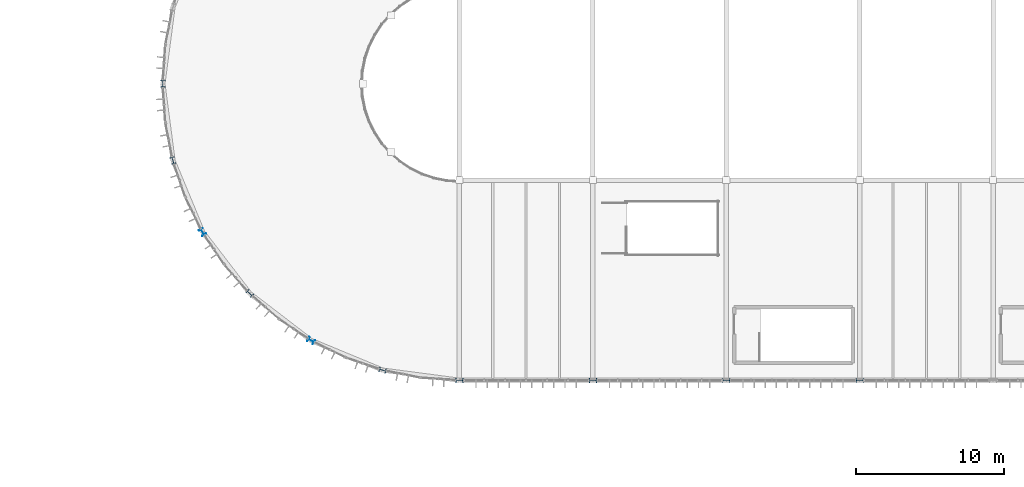
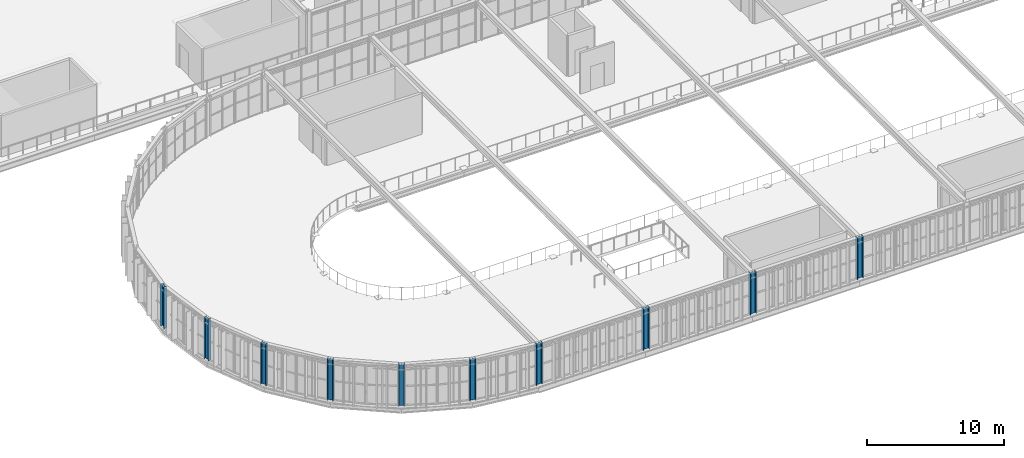
# One storey, part 1 of 152: 10 columns.
"""IFC4 building model written with IfcOpenShell, lengths in metres."""

from ifc_helpers import new_model, si_unit, derived_unit, direction, frame, origin, origin_2d, place, context, subcontext, project, spatial, i_section, extrude, material, material_profile, profile_set, type_object, element, save


model = new_model("IFC4")

# Units and contexts
model_context = context("Model", 3, precision=1e-05, world=origin(), true_north=direction((0.0, 1.0)))
body_context = subcontext(model_context, "Body", "Model", "MODEL_VIEW")
ifc_project = project(units=[si_unit("LENGTHUNIT", "METRE"), si_unit("AREAUNIT", "SQUARE_METRE"), si_unit("VOLUMEUNIT", "CUBIC_METRE"), si_unit("PLANEANGLEUNIT", "RADIAN"), si_unit("MASSUNIT", "GRAM", prefix="KILO"), si_unit("THERMODYNAMICTEMPERATUREUNIT", "KELVIN"), si_unit("TIMEUNIT", "SECOND"), derived_unit("THERMALTRANSMITTANCEUNIT", [(si_unit("MASSUNIT", "GRAM", prefix="KILO"), 1), (si_unit("THERMODYNAMICTEMPERATUREUNIT", "KELVIN"), -1), (si_unit("TIMEUNIT", "SECOND"), -3)])], contexts=[model_context])

# Site, building, storey
site_placement = place(None, origin())
site = spatial("IfcSite", under=ifc_project, at=site_placement, CompositionType="ELEMENT")
building_placement = place(site_placement, origin())
building = spatial("IfcBuilding", under=site, at=building_placement, Name="Cambertide Market Hall", CompositionType="ELEMENT")
storey_placement = place(building_placement, frame((0.0, 0.0, 5.39990234375)))
storey = spatial("IfcBuildingStorey", under=building, at=storey_placement, Name="L02", CompositionType="ELEMENT", Elevation=5.39990234375)

# Columns
ifc_material_1 = material(Name="Steel S355", Category="steel")
ifc_material_profile_1 = material_profile(ifc_material_1, i_section(OverallWidth=0.300048828125, OverallDepth=0.449951171875, WebThickness=0.013916015625, FlangeThickness=0.02587890625, FilletRadius=0.027099609375, at=origin_2d()), Name="HEB 450")
ifc_profile_set_1 = profile_set([ifc_material_profile_1], Name="Steel S355")
column_type_1 = type_object("IfcColumnType", Name="Exterior Steel Column HEB 450", PredefinedType="COLUMN", material=ifc_profile_set_1)
for number, where, z_axis, x_axis, name in (
    (1, (22.0, 72.0, 0.0), (0.0, 0.0, 1.0), (-1.0, 0.0, 0.0), "Level 2 Column COL-V1-AW12-L02"),
    (2, (22.681396484375, 66.82373046875, 0.0), (0.0, 0.0, 1.0), (-0.965925826289, -0.258819045103, 0.0), "Level 2 Column COL-V1-AW14-L02"),
    (3, (24.679443359375, 62.0, 0.0), (0.0, 0.0, 1.0), (-0.866025403784, -0.5, 0.0), "Level 2 Column COL-V1-AW16-L02"),
    (4, (27.85791015625, 57.85791015625, 0.0), (0.0, 0.0, 1.0), (-0.707106781187, -0.707106781187, 0.0), "Level 2 Column COL-V1-AW18-L02"),
    (5, (32.0, 54.679443359375, 0.0), (0.0, 0.0, 1.0), (-0.5, -0.866025403784, 0.0), "Level 2 Column COL-V1-AW20-L02"),
    (6, (36.82373046875, 52.681396484375, 0.0), (0.0, 0.0, 1.0), (-0.258819045103, -0.965925826289, 0.0), "Level 2 Column COL-V1-AW22-L02"),
):
    element("IfcColumn", number, at=place(storey_placement, frame(where, z_axis=z_axis, x_axis=x_axis)), inside=storey, type_object=column_type_1, Name=name, PredefinedType="COLUMN", context=body_context, shape_type="SweptSolid", body=[
        extrude(i_section(OverallWidth=0.300048828125, OverallDepth=0.449951171875, WebThickness=0.013916015625, FlangeThickness=0.02587890625, FilletRadius=0.027099609375, at=origin_2d()), origin(), (0.0, 0.0, 1.0), 3.7001953125),
    ])
ifc_material_2 = material(Name="Steel S355", Category="steel")
ifc_material_profile_2 = material_profile(ifc_material_2, i_section(OverallWidth=0.300048828125, OverallDepth=0.5, WebThickness=0.014404296875, FlangeThickness=0.028076171875, FilletRadius=0.027099609375, at=origin_2d()), Name="HEB 500")
ifc_profile_set_2 = profile_set([ifc_material_profile_2], Name="Steel S355")
column_type_2 = type_object("IfcColumnType", Name="Exterior Steel Column HEB 500", PredefinedType="COLUMN", material=ifc_profile_set_2)
for number, where, z_axis, x_axis, name in (
    (7, (42.0, 52.0, 0.0), (0.0, 0.0, 1.0), (0.0, 1.0, 0.0), "Level 2 Column COL-V1-S1-L02"),
    (8, (51.0, 52.0, 0.0), (0.0, 0.0, 1.0), (0.0, 1.0, 0.0), "Level 2 Column COL-V1-S2-L02"),
    (9, (60.0, 52.0, 0.0), (0.0, 0.0, 1.0), (0.0, 1.0, 0.0), "Level 2 Column COL-V1-S3-L02"),
    (10, (69.0, 52.0, 0.0), (0.0, 0.0, 1.0), (0.0, 1.0, 0.0), "Level 2 Column COL-V1-S4-L02"),
):
    element("IfcColumn", number, at=place(storey_placement, frame(where, z_axis=z_axis, x_axis=x_axis)), inside=storey, type_object=column_type_2, Name=name, PredefinedType="COLUMN", context=body_context, shape_type="SweptSolid", body=[
        extrude(i_section(OverallWidth=0.300048828125, OverallDepth=0.5, WebThickness=0.014404296875, FlangeThickness=0.028076171875, FilletRadius=0.027099609375, at=origin_2d()), origin(), (0.0, 0.0, 1.0), 3.7001953125),
    ])

save(model, "model.ifc")
